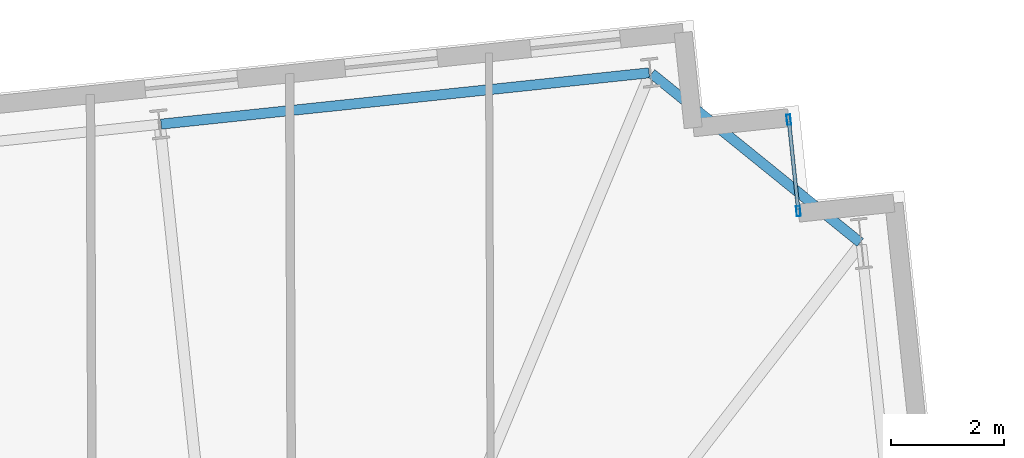
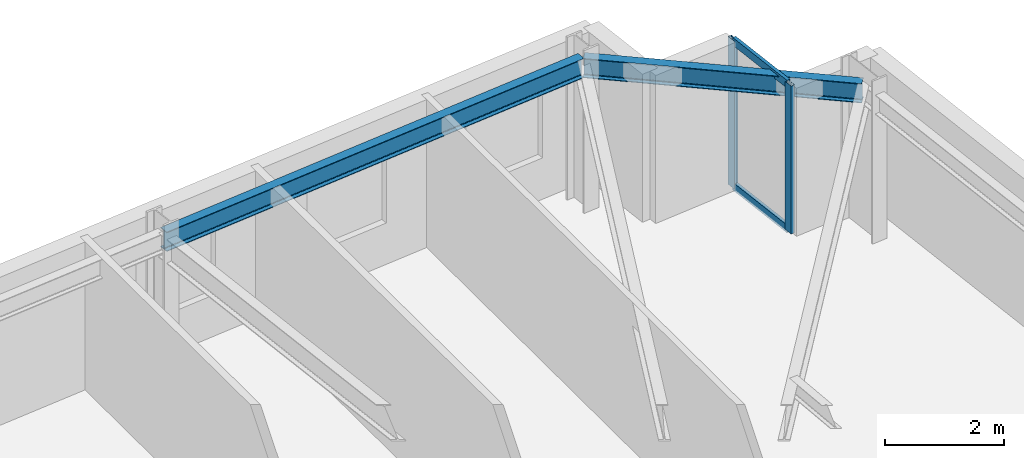
# One storey, part 10 of 18: 4 members, 2 beams, 1 element without a shape of its own.
"""IFC4 building model written with IfcOpenShell, lengths in metres."""

from ifc_helpers import new_model, si_unit, direction, frame, origin, origin_2d, place, context, subcontext, project, spatial, hollow_rectangle, i_section, extrude, material, layer, layer_set, material_profile, profile_set, type_object, element, aggregate, save


model = new_model("IFC4")

# Units and contexts
model_context = context("Model", 3, precision=1e-05, world=origin(), true_north=direction((0.0, 1.0)))
body_context = subcontext(model_context, "Body", "Model", "MODEL_VIEW")
ifc_project = project(units=[si_unit("LENGTHUNIT", "METRE"), si_unit("AREAUNIT", "SQUARE_METRE"), si_unit("VOLUMEUNIT", "CUBIC_METRE"), si_unit("PLANEANGLEUNIT", "RADIAN"), si_unit("MASSUNIT", "GRAM", prefix="KILO")], contexts=[model_context])

# Site, building, storey
site_placement = place(None, origin())
site = spatial("IfcSite", under=ifc_project, at=site_placement, CompositionType="ELEMENT")
building_placement = place(site_placement, origin())
building = spatial("IfcBuilding", under=site, at=building_placement, Name="Qobustan Lattice House", CompositionType="ELEMENT")
storey_placement = place(building_placement, frame((0.0, 0.0, 119.199951171875)))
storey = spatial("IfcBuildingStorey", under=building, at=storey_placement, Name="L33", CompositionType="ELEMENT", Elevation=119.199951171875)

# Beams
ifc_material_1 = material(Name="Steel S355", Category="steel")
ifc_material_profile_1 = material_profile(ifc_material_1, i_section(OverallWidth=0.179931640625, OverallDepth=0.39990234375, WebThickness=0.008544921875, FlangeThickness=0.013427734375, FilletRadius=0.02099609375, at=origin_2d()), Name="IPE400")
ifc_profile_set_1 = profile_set([ifc_material_profile_1], Name="Steel S355")
beam_type = type_object("IfcBeamType", Name="BM-SPD-IPE400", PredefinedType="SPANDREL", material=ifc_profile_set_1)
beam_1_placement = place(storey_placement, frame((29.536865234375, 19.484619140625, 2.844970703125), z_axis=(-0.777140911545, 0.629326627121, 0.0), x_axis=(-0.629326627121, -0.777140911545, 0.0)))
element("IfcBeam", 1, at=beam_1_placement, inside=storey, type_object=beam_type, Name="L33 perimeter spandrel E4-N1", PredefinedType="SPANDREL", context=body_context, shape_type="SweptSolid", body=[
    extrude(i_section(OverallWidth=0.179931640625, OverallDepth=0.39990234375, WebThickness=0.008544921875, FlangeThickness=0.013427734375, FilletRadius=0.02099609375, at=origin_2d()), origin(), (0.0, 0.0, 1.0), 4.758544921875),
])
beam_2_placement = place(storey_placement, frame((25.794677734375, 22.492431640625, 2.844970703125), z_axis=(-0.994521586424, -0.104531402636, 0.0), x_axis=(0.104531402636, -0.994521586424, 0.0)))
element("IfcBeam", 2, at=beam_2_placement, inside=storey, type_object=beam_type, Name="L33 perimeter spandrel N1-N2", PredefinedType="SPANDREL", context=body_context, shape_type="SweptSolid", body=[
    extrude(i_section(OverallWidth=0.179931640625, OverallDepth=0.39990234375, WebThickness=0.008544921875, FlangeThickness=0.013427734375, FilletRadius=0.02099609375, at=origin_2d()), origin(), (0.0, 0.0, 1.0), 8.699951171875),
])

# Curtain wall, members
ifc_material_2 = material(Name="Anodised aluminium and low-E glazing", Category="aluminium")
ifc_layer = layer(ifc_material_2, 0.219970703125)
ifc_layer_set = layer_set([ifc_layer], Name="Anodised aluminium and low-E glazing")
curtain_wall_type = type_object("IfcCurtainWallType", Name="CW-FAC-01", PredefinedType="USERDEFINED", material=ifc_layer_set)
curtain_wall_placement = place(storey_placement, origin())
curtain_wall = element("IfcCurtainWall", 3, at=curtain_wall_placement, inside=storey, type_object=curtain_wall_type, Name="L33 serrated corner faceted glazing 13", ObjectType="CURTAIN WALL", PredefinedType="USERDEFINED")
ifc_material_3 = material(Name="Anodised aluminium EN AW-6063 T6", Category="aluminium")
ifc_material_profile_2 = material_profile(ifc_material_3, hollow_rectangle(XDim=0.070068359375, YDim=0.179931640625, WallThickness=0.00439453125, at=origin_2d()), Name="CWM-180x70")
ifc_profile_set_2 = profile_set([ifc_material_profile_2], Name="Anodised aluminium EN AW-6063 T6")
member_type_1 = type_object("IfcMemberType", Name="CWM-STD-180", PredefinedType="MULLION", material=ifc_profile_set_2)
member_1_placement = place(storey_placement, frame((28.27001953125, 21.66162109375, 0.0), z_axis=(0.0, 0.0, 1.0), x_axis=(0.994521878892, 0.104528620025, 0.0)))
member_1 = element("IfcMember", 4, at=member_1_placement, type_object=member_type_1, Name="CW-F1 mullion 1", PredefinedType="MULLION", context=body_context, shape_type="SweptSolid", body=[
    extrude(hollow_rectangle(XDim=0.070068359375, YDim=0.179931640625, WallThickness=0.00439453125, at=origin_2d()), origin(), (0.0, 0.0, 1.0), 3.045166015625),
])
member_2_placement = place(storey_placement, frame((28.4404296875, 20.04052734375, 0.0), z_axis=(0.0, 0.0, 1.0), x_axis=(0.994521878892, 0.104528620025, 0.0)))
member_2 = element("IfcMember", 5, at=member_2_placement, type_object=member_type_1, Name="CW-F1 mullion 2", PredefinedType="MULLION", context=body_context, shape_type="SweptSolid", body=[
    extrude(hollow_rectangle(XDim=0.070068359375, YDim=0.179931640625, WallThickness=0.00439453125, at=origin_2d()), origin(), (0.0, 0.0, 1.0), 3.045166015625),
])
ifc_material_4 = material(Name="Anodised aluminium EN AW-6063 T6", Category="aluminium")
ifc_material_profile_3 = material_profile(ifc_material_4, hollow_rectangle(XDim=0.06494140625, YDim=0.159912109375, WallThickness=0.00390625, at=origin_2d()), Name="CWT-160x65")
ifc_profile_set_3 = profile_set([ifc_material_profile_3], Name="Anodised aluminium EN AW-6063 T6")
member_type_2 = type_object("IfcMemberType", Name="CWT-HOR-160", PredefinedType="USERDEFINED", material=ifc_profile_set_3)
member_3_placement = place(storey_placement, frame((28.273681640625, 21.626708984375, 0.032470703125), z_axis=(0.104538150424, -0.994520877159, 0.0), x_axis=(0.994520877159, 0.104538150424, 0.0)))
member_3 = element("IfcMember", 6, at=member_3_placement, type_object=member_type_2, Name="CW-F1 transom 1.1", ObjectType="TRANSOM", PredefinedType="USERDEFINED", context=body_context, shape_type="SweptSolid", body=[
    extrude(hollow_rectangle(XDim=0.06494140625, YDim=0.159912109375, WallThickness=0.00390625, at=origin_2d()), origin(), (0.0, 0.0, 1.0), 1.56005859375),
])
member_4_placement = place(storey_placement, frame((28.273681640625, 21.626708984375, 3.012451171875), z_axis=(0.104538150424, -0.994520877159, 0.0), x_axis=(0.994520877159, 0.104538150424, 0.0)))
member_4 = element("IfcMember", 7, at=member_4_placement, type_object=member_type_2, Name="CW-F1 transom 1.2", ObjectType="TRANSOM", PredefinedType="USERDEFINED", context=body_context, shape_type="SweptSolid", body=[
    extrude(hollow_rectangle(XDim=0.06494140625, YDim=0.159912109375, WallThickness=0.00390625, at=origin_2d()), origin(), (0.0, 0.0, 1.0), 1.56005859375),
])
aggregate(curtain_wall, [member_1, member_2, member_3, member_4])

save(model, "model.ifc")
